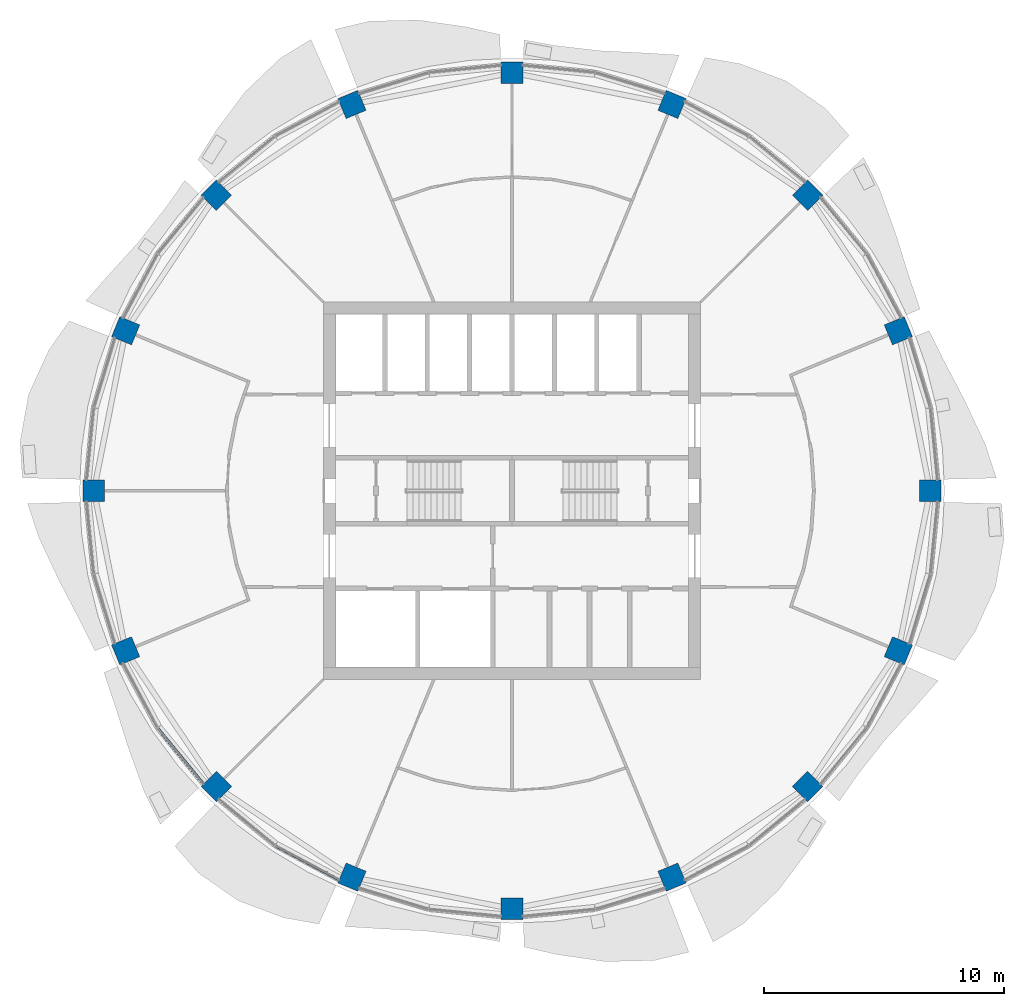
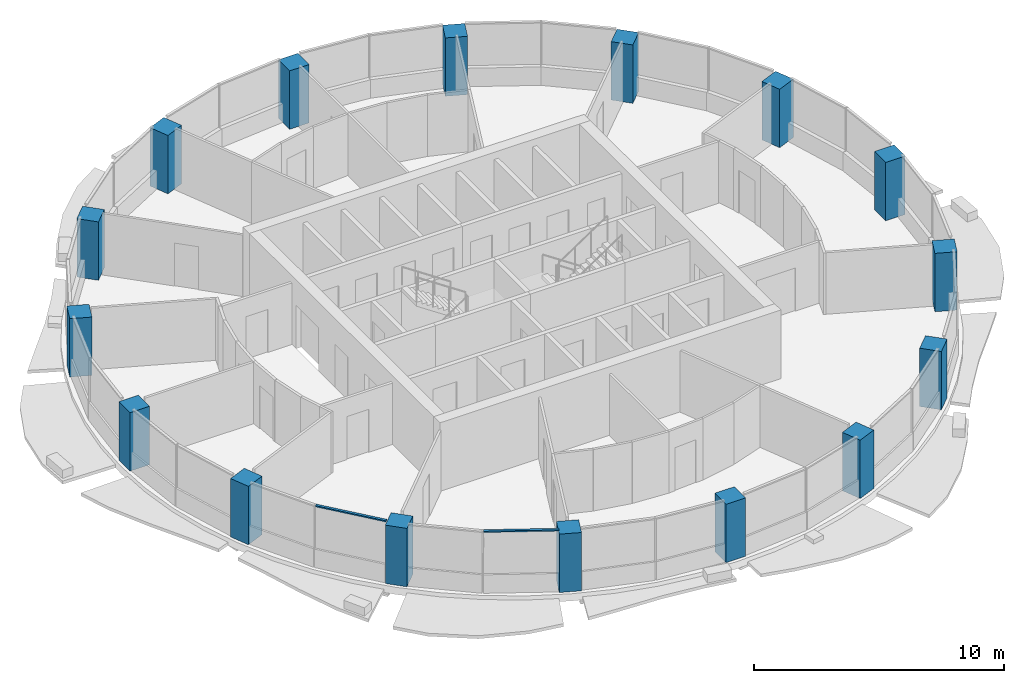
# One storey, part 1 of 15: 16 columns, 2 members, 2 elements without a shape of their own.
"""IFC4 building model written with IfcOpenShell, lengths in metres."""

from ifc_helpers import new_model, si_unit, direction, frame, origin, origin_2d, place, context, subcontext, project, spatial, rectangle, extrude, material, material_profile, profile_set, type_object, element, aggregate, save


model = new_model("IFC4")

# Units and contexts
model_context = context("Model", 3, precision=1e-05, world=origin(), true_north=direction((0.0, 1.0)))
body_context = subcontext(model_context, "Body", "Model", "MODEL_VIEW")
ifc_project = project(units=[si_unit("LENGTHUNIT", "METRE"), si_unit("AREAUNIT", "SQUARE_METRE"), si_unit("VOLUMEUNIT", "CUBIC_METRE"), si_unit("PLANEANGLEUNIT", "RADIAN"), si_unit("MASSUNIT", "GRAM", prefix="KILO")], contexts=[model_context])

# Site, building, storey
site_placement = place(None, origin())
site = spatial("IfcSite", under=ifc_project, at=site_placement, CompositionType="ELEMENT")
building_placement = place(site_placement, origin())
building = spatial("IfcBuilding", under=site, at=building_placement, Name="Polderwave Tower", CompositionType="ELEMENT")
storey_placement = place(building_placement, frame((0.0, 0.0, 191.0)))
storey = spatial("IfcBuildingStorey", under=building, at=storey_placement, Name="L51", CompositionType="ELEMENT", Elevation=191.0)

# Columns
ifc_material_1 = material(Name="Concrete C60/75", Category="concrete")
ifc_material_profile_1 = material_profile(ifc_material_1, rectangle(XDim=0.89990234375, YDim=0.89990234375, at=origin_2d()), Name="RC 900x900")
ifc_profile_set_1 = profile_set([ifc_material_profile_1], Name="Concrete C60/75")
column_type = type_object("IfcColumnType", Name="RC COLUMN 900x900 C60/75", PredefinedType="COLUMN", material=ifc_profile_set_1)
for number, where, z_axis, x_axis, name in (
    (1, (17.449951171875, 0.0, 0.0), (0.0, 0.0, 1.0), (1.0, 0.0, 0.0), "Ring column 01"),
    (2, (16.12158203125, 6.677734375, 0.0), (0.0, 0.0, 1.0), (0.923879532511, 0.382683432365, 0.0), "Ring column 02"),
    (3, (12.339111328125, 12.339111328125, 0.0), (0.0, 0.0, 1.0), (0.707106781187, 0.707106781187, 0.0), "Ring column 03"),
    (4, (6.677734375, 16.12158203125, 0.0), (0.0, 0.0, 1.0), (0.382683432365, 0.923879532511, 0.0), "Ring column 04"),
    (5, (0.0, 17.449951171875, 0.0), (0.0, 0.0, 1.0), (0.0, 1.0, 0.0), "Ring column 05"),
    (6, (-6.677734375, 16.12158203125, 0.0), (0.0, 0.0, 1.0), (-0.382683432365, 0.923879532511, 0.0), "Ring column 06"),
    (7, (-12.339111328125, 12.339111328125, 0.0), (0.0, 0.0, 1.0), (-0.707106781187, 0.707106781187, 0.0), "Ring column 07"),
    (8, (-16.12158203125, 6.677734375, 0.0), (0.0, 0.0, 1.0), (-0.923879532511, 0.382683432365, 0.0), "Ring column 08"),
    (9, (-17.449951171875, 0.0, 0.0), (0.0, 0.0, 1.0), (-1.0, 0.0, 0.0), "Ring column 09"),
    (10, (-16.12158203125, -6.677734375, 0.0), (0.0, 0.0, 1.0), (-0.923879532511, -0.382683432365, 0.0), "Ring column 10"),
    (11, (-12.339111328125, -12.339111328125, 0.0), (0.0, 0.0, 1.0), (-0.707106781187, -0.707106781187, 0.0), "Ring column 11"),
    (12, (-6.677734375, -16.12158203125, 0.0), (0.0, 0.0, 1.0), (-0.382683432365, -0.923879532511, 0.0), "Ring column 12"),
    (13, (0.0, -17.449951171875, 0.0), (0.0, 0.0, 1.0), (0.0, -1.0, 0.0), "Ring column 13"),
    (14, (6.677734375, -16.12158203125, 0.0), (0.0, 0.0, 1.0), (0.382683432365, -0.923879532511, 0.0), "Ring column 14"),
    (15, (12.339111328125, -12.339111328125, 0.0), (0.0, 0.0, 1.0), (0.707106781187, -0.707106781187, 0.0), "Ring column 15"),
    (16, (16.12158203125, -6.677734375, 0.0), (0.0, 0.0, 1.0), (0.923879532511, -0.382683432365, 0.0), "Ring column 16"),
):
    element("IfcColumn", number, at=place(storey_placement, frame(where, z_axis=z_axis, x_axis=x_axis)), inside=storey, type_object=column_type, Name=name, PredefinedType="COLUMN", context=body_context, shape_type="SweptSolid", body=[
        extrude(rectangle(XDim=0.89990234375, YDim=0.89990234375, at=origin_2d()), origin(), (0.0, 0.0, 1.0), 2.85009765625),
    ])

# Curtain wall, member
ifc_material_2 = material(Name="Aluminium 6063-T6 and glass", Category="aluminium")
curtain_wall_type = type_object("IfcCurtainWallType", Name="Office ribbon glazing wall", PredefinedType="NOTDEFINED", material=ifc_material_2)
curtain_wall_1_placement = place(storey_placement, origin())
curtain_wall_1 = element("IfcCurtainWall", 17, at=curtain_wall_1_placement, inside=storey, type_object=curtain_wall_type, Name="CW3 L51 09", PredefinedType="NOTDEFINED")
ifc_material_3 = material(Name="Aluminium 6063-T6", Category="aluminium")
ifc_material_profile_2 = material_profile(ifc_material_3, rectangle(XDim=0.1201171875, YDim=0.06005859375, at=origin_2d()), Name="AL 60x120")
ifc_profile_set_2 = profile_set([ifc_material_profile_2], Name="Aluminium 6063-T6")
member_type = type_object("IfcMemberType", Name="Office ribbon glazing transom 60x120", PredefinedType="USERDEFINED", material=ifc_profile_set_2)
member_1_placement = place(storey_placement, frame((-14.78271484375, -9.910400390625, 2.969970703125), z_axis=(0.634438411451, -0.772973416151, 0.0), x_axis=(0.772973416151, 0.634438411451, 0.0)))
member_1 = element("IfcMember", 18, at=member_1_placement, type_object=member_type, Name="CW3 transom 2", ObjectType="TRANSOM", PredefinedType="USERDEFINED", context=body_context, shape_type="SweptSolid", body=[
    extrude(rectangle(XDim=0.1201171875, YDim=0.06005859375, at=origin_2d()), origin(), (0.0, 0.0, 1.0), 3.010009765625),
])
aggregate(curtain_wall_1, [member_1])

curtain_wall_2_placement = place(storey_placement, origin())
curtain_wall_2 = element("IfcCurtainWall", 19, at=curtain_wall_2_placement, inside=storey, type_object=curtain_wall_type, Name="CW3 L51 10", PredefinedType="NOTDEFINED")
member_2_placement = place(storey_placement, frame((-9.86474609375, -14.81298828125, 2.969970703125), z_axis=(0.881858389834, -0.471514347904, 0.0), x_axis=(0.471514347904, 0.881858389834, 0.0)))
member_2 = element("IfcMember", 20, at=member_2_placement, type_object=member_type, Name="CW3 transom 2", ObjectType="TRANSOM", PredefinedType="USERDEFINED", context=body_context, shape_type="SweptSolid", body=[
    extrude(rectangle(XDim=0.1201171875, YDim=0.06005859375, at=origin_2d()), origin(), (0.0, 0.0, 1.0), 3.00927734375),
])
aggregate(curtain_wall_2, [member_2])

save(model, "model.ifc")
